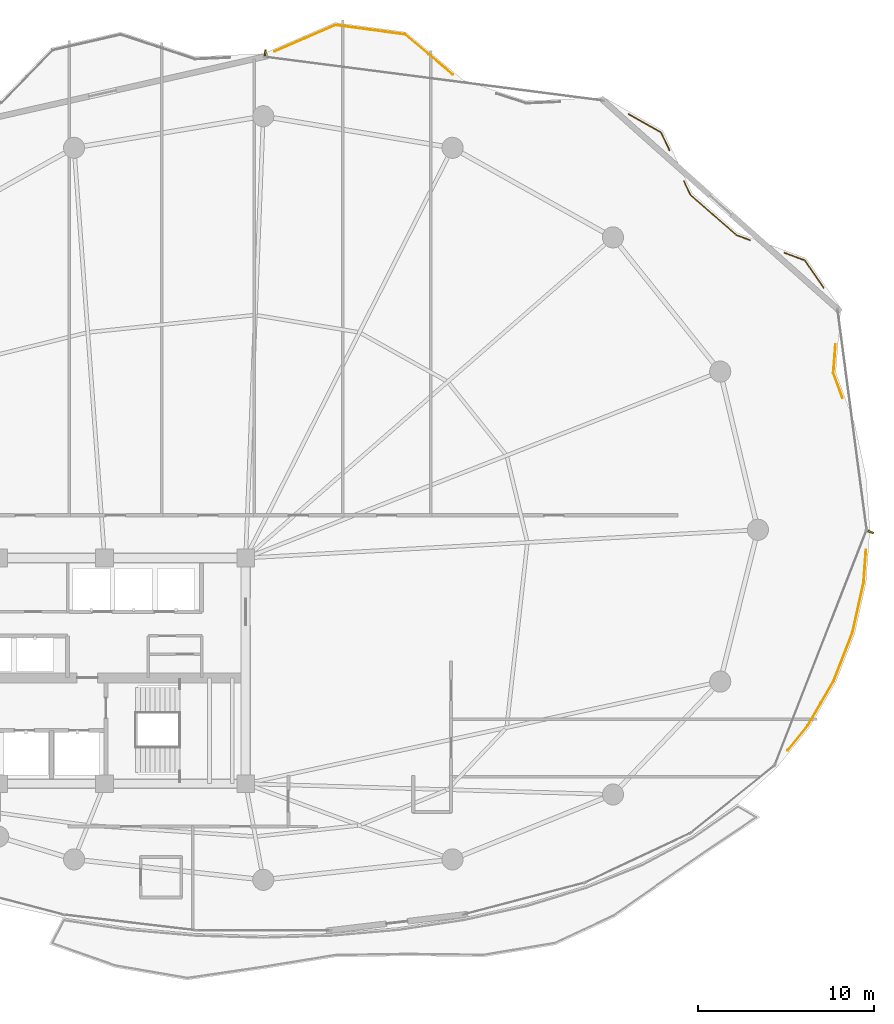
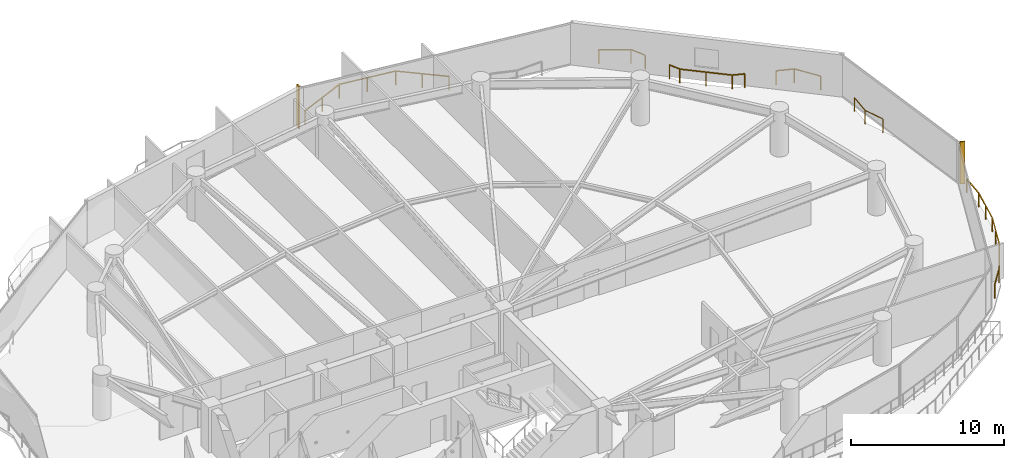
# One storey, part 33 of 33: 6 railings, 2 shading devices.
"""IFC4 building model written with IfcOpenShell, lengths in metres."""

from ifc_helpers import new_model, si_unit, direction, frame, origin, origin_2d, place, context, subcontext, project, spatial, rectangle, extrude, material, type_object, element, save


model = new_model("IFC4")

# Units and contexts
model_context = context("Model", 3, precision=1e-05, world=origin(), true_north=direction((0.0, 1.0)))
body_context = subcontext(model_context, "Body", "Model", "MODEL_VIEW")
ifc_project = project(units=[si_unit("LENGTHUNIT", "METRE"), si_unit("AREAUNIT", "SQUARE_METRE"), si_unit("VOLUMEUNIT", "CUBIC_METRE"), si_unit("PLANEANGLEUNIT", "RADIAN"), si_unit("MASSUNIT", "GRAM", prefix="KILO")], contexts=[model_context])

# Site, building, storey
site_placement = place(None, origin())
site = spatial("IfcSite", under=ifc_project, at=site_placement, CompositionType="ELEMENT")
building_placement = place(site_placement, origin())
building = spatial("IfcBuilding", under=site, at=building_placement, Name="Kazevale Care Tower and Concert Hall", CompositionType="ELEMENT")
storey_placement = place(building_placement, frame((0.0, 0.0, 153.0)))
storey = spatial("IfcBuildingStorey", under=building, at=storey_placement, Name="L40", CompositionType="ELEMENT", Elevation=153.0)

# Railings
ifc_material_1 = material(Name="Anodised Bronze Aluminium and Laminated Glass", Category="aluminium")
railing_type = type_object("IfcRailingType", Name="Balcony and Terrace Balustrade 1120", PredefinedType="BALUSTRADE", material=ifc_material_1)
railing_1_placement = place(storey_placement, frame((45.64404296875, 65.126953125, 0.0)))
element("IfcRailing", 1, at=railing_1_placement, inside=storey, type_object=railing_type, Name="rail:L40:perim:6", PredefinedType="BALUSTRADE", context=body_context, shape_type="SweptSolid", body=[
    extrude(rectangle(XDim=0.048095703125, YDim=0.048095703125, at=origin_2d()), frame((0.0, 0.0, 1.09619140625), z_axis=(0.917187785413, 0.398455224949, 0.0), x_axis=(-0.398455224949, 0.917187785413, 0.0)), (0.0, 0.0, 1.0), 3.757080078125),
    extrude(rectangle(XDim=0.048095703125, YDim=0.048095703125, at=origin_2d()), frame((3.446044921875, 1.4970703125, 1.09619140625), z_axis=(0.990974581197, -0.134049913915, 0.0), x_axis=(0.134049913915, 0.990974581197, 0.0)), (0.0, 0.0, 1.0), 3.975830078125),
    extrude(rectangle(XDim=0.048095703125, YDim=0.048095703125, at=origin_2d()), frame((7.385986328125, 0.964111328125, 1.09619140625), z_axis=(0.766816144639, -0.641866808863, 0.0), x_axis=(0.641866808863, 0.766816144639, 0.0)), (0.0, 0.0, 1.0), 3.53662109375),
    extrude(rectangle(XDim=0.0419921875, YDim=0.0419921875, at=origin_2d()), origin(), (0.0, 0.0, 1.0), 1.072021484375),
    extrude(rectangle(XDim=0.0419921875, YDim=0.0419921875, at=origin_2d()), frame((1.72314453125, 0.74853515625, 0.0)), (0.0, 0.0, 1.0), 1.072021484375),
    extrude(rectangle(XDim=0.0419921875, YDim=0.0419921875, at=origin_2d()), frame((3.446044921875, 1.4970703125, 0.0)), (0.0, 0.0, 1.0), 1.072021484375),
    extrude(rectangle(XDim=0.0419921875, YDim=0.0419921875, at=origin_2d()), frame((5.416015625, 1.23046875, 0.0)), (0.0, 0.0, 1.0), 1.072021484375),
    extrude(rectangle(XDim=0.0419921875, YDim=0.0419921875, at=origin_2d()), frame((7.385986328125, 0.964111328125, 0.0)), (0.0, 0.0, 1.0), 1.072021484375),
    extrude(rectangle(XDim=0.0419921875, YDim=0.0419921875, at=origin_2d()), frame((8.741943359375, -0.1708984375, 0.0)), (0.0, 0.0, 1.0), 1.072021484375),
    extrude(rectangle(XDim=0.0419921875, YDim=0.0419921875, at=origin_2d()), frame((10.097900390625, -1.305908203125, 0.0)), (0.0, 0.0, 1.0), 1.072021484375),
])
railing_2_placement = place(storey_placement, frame((65.718994140625, 61.572021484375, 0.0)))
element("IfcRailing", 2, at=railing_2_placement, inside=storey, type_object=railing_type, Name="rail:L40:perim:8", PredefinedType="BALUSTRADE", context=body_context, shape_type="SweptSolid", body=[
    extrude(rectangle(XDim=0.048095703125, YDim=0.048095703125, at=origin_2d()), frame((0.0, 0.0, 1.09619140625), z_axis=(0.870597317313, -0.491996251092, 0.0), x_axis=(0.491996251092, 0.870597317313, 0.0)), (0.0, 0.0, 1.0), 2.10986328125),
    extrude(rectangle(XDim=0.048095703125, YDim=0.048095703125, at=origin_2d()), frame((1.8369140625, -1.0380859375, 1.09619140625), z_axis=(0.425040298366, -0.905174427812, 0.0), x_axis=(0.905174427812, 0.425040298366, 0.0)), (0.0, 0.0, 1.0), 1.134521484375),
    extrude(rectangle(XDim=0.0419921875, YDim=0.0419921875, at=origin_2d()), origin(), (0.0, 0.0, 1.0), 1.072021484375),
    extrude(rectangle(XDim=0.0419921875, YDim=0.0419921875, at=origin_2d()), frame((1.8369140625, -1.0380859375, 0.0)), (0.0, 0.0, 1.0), 1.072021484375),
    extrude(rectangle(XDim=0.0419921875, YDim=0.0419921875, at=origin_2d()), frame((2.319091796875, -2.06494140625, 0.0)), (0.0, 0.0, 1.0), 1.072021484375),
])
railing_3_placement = place(storey_placement, frame((68.85693359375, 57.760009765625, 0.0)))
element("IfcRailing", 3, at=railing_3_placement, inside=storey, type_object=railing_type, Name="rail:L40:perim:9", PredefinedType="BALUSTRADE", context=body_context, shape_type="SweptSolid", body=[
    extrude(rectangle(XDim=0.048095703125, YDim=0.048095703125, at=origin_2d()), frame((0.0, 0.0, 1.09619140625), z_axis=(0.42407317981, -0.905627924794, 0.0), x_axis=(0.905627924794, 0.42407317981, 0.0)), (0.0, 0.0, 1.0), 0.83251953125),
    extrude(rectangle(XDim=0.048095703125, YDim=0.048095703125, at=origin_2d()), frame((0.35302734375, -0.75390625, 1.09619140625), z_axis=(0.751344255412, -0.65991045594, 0.0), x_axis=(0.65991045594, 0.751344255412, 0.0)), (0.0, 0.0, 1.0), 3.4765625),
    extrude(rectangle(XDim=0.048095703125, YDim=0.048095703125, at=origin_2d()), frame((2.965087890625, -3.048095703125, 1.09619140625), z_axis=(0.938403352722, -0.345541817439, 0.0), x_axis=(0.345541817439, 0.938403352722, 0.0)), (0.0, 0.0, 1.0), 0.830078125),
    extrude(rectangle(XDim=0.0419921875, YDim=0.0419921875, at=origin_2d()), origin(), (0.0, 0.0, 1.0), 1.072021484375),
    extrude(rectangle(XDim=0.0419921875, YDim=0.0419921875, at=origin_2d()), frame((0.35302734375, -0.75390625, 0.0)), (0.0, 0.0, 1.0), 1.072021484375),
    extrude(rectangle(XDim=0.0419921875, YDim=0.0419921875, at=origin_2d()), frame((1.6591796875, -1.90087890625, 0.0)), (0.0, 0.0, 1.0), 1.072021484375),
    extrude(rectangle(XDim=0.0419921875, YDim=0.0419921875, at=origin_2d()), frame((2.965087890625, -3.048095703125, 0.0)), (0.0, 0.0, 1.0), 1.072021484375),
    extrude(rectangle(XDim=0.0419921875, YDim=0.0419921875, at=origin_2d()), frame((3.744140625, -3.3349609375, 0.0)), (0.0, 0.0, 1.0), 1.072021484375),
])
railing_4_placement = place(storey_placement, frame((74.551025390625, 53.7060546875, 0.0)))
element("IfcRailing", 4, at=railing_4_placement, inside=storey, type_object=railing_type, Name="rail:L40:perim:10", PredefinedType="BALUSTRADE", context=body_context, shape_type="SweptSolid", body=[
    extrude(rectangle(XDim=0.048095703125, YDim=0.048095703125, at=origin_2d()), frame((0.0, 0.0, 1.09619140625), z_axis=(0.938095468021, -0.346376807652, 0.0), x_axis=(0.346376807652, 0.938095468021, 0.0)), (0.0, 0.0, 1.0), 1.213134765625),
    extrude(rectangle(XDim=0.048095703125, YDim=0.048095703125, at=origin_2d()), frame((1.137939453125, -0.420166015625, 1.09619140625), z_axis=(0.570141962651, -0.821546190074, 0.0), x_axis=(0.821546190074, 0.570141962651, 0.0)), (0.0, 0.0, 1.0), 1.892578125),
    extrude(rectangle(XDim=0.0419921875, YDim=0.0419921875, at=origin_2d()), origin(), (0.0, 0.0, 1.0), 1.072021484375),
    extrude(rectangle(XDim=0.0419921875, YDim=0.0419921875, at=origin_2d()), frame((1.137939453125, -0.420166015625, 0.0)), (0.0, 0.0, 1.0), 1.072021484375),
    extrude(rectangle(XDim=0.0419921875, YDim=0.0419921875, at=origin_2d()), frame((2.217041015625, -1.97509765625, 0.0)), (0.0, 0.0, 1.0), 1.072021484375),
])
railing_5_placement = place(storey_placement, frame((79.176025390625, 36.844970703125, 0.0)))
element("IfcRailing", 5, at=railing_5_placement, inside=storey, type_object=railing_type, Name="rail:L40:perim:11", PredefinedType="BALUSTRADE", context=body_context, shape_type="SweptSolid", body=[
    extrude(rectangle(XDim=0.048095703125, YDim=0.048095703125, at=origin_2d()), frame((0.0, 0.0, 1.09619140625), z_axis=(-0.071578588161, -0.997434963151, 0.0), x_axis=(0.997434963151, -0.071578588161, 0.0)), (0.0, 0.0, 1.0), 1.83154296875),
    extrude(rectangle(XDim=0.048095703125, YDim=0.048095703125, at=origin_2d()), frame((-0.131103515625, -1.826904296875, 1.09619140625), z_axis=(-0.217745961145, -0.9760054797, 0.0), x_axis=(0.9760054797, -0.217745961145, 0.0)), (0.0, 0.0, 1.0), 2.94775390625),
    extrude(rectangle(XDim=0.048095703125, YDim=0.048095703125, at=origin_2d()), frame((-0.77294921875, -4.703857421875, 1.09619140625), z_axis=(-0.363468066155, -0.931606657815, 0.0), x_axis=(0.931606657815, -0.363468066155, 0.0)), (0.0, 0.0, 1.0), 2.91650390625),
    extrude(rectangle(XDim=0.048095703125, YDim=0.048095703125, at=origin_2d()), frame((-1.8330078125, -7.4208984375, 1.09619140625), z_axis=(-0.502610267332, -0.864513111047, 0.0), x_axis=(0.864513111047, -0.502610267332, 0.0)), (0.0, 0.0, 1.0), 2.9150390625),
    extrude(rectangle(XDim=0.048095703125, YDim=0.048095703125, at=origin_2d()), frame((-3.298095703125, -9.94091796875, 1.09619140625), z_axis=(-0.628318296441, -0.777956373043, 0.0), x_axis=(0.777956373043, -0.628318296441, 0.0)), (0.0, 0.0, 1.0), 1.812744140625),
    extrude(rectangle(XDim=0.0419921875, YDim=0.0419921875, at=origin_2d()), origin(), (0.0, 0.0, 1.0), 1.072021484375),
    extrude(rectangle(XDim=0.0419921875, YDim=0.0419921875, at=origin_2d()), frame((-0.131103515625, -1.826904296875, 0.0)), (0.0, 0.0, 1.0), 1.072021484375),
    extrude(rectangle(XDim=0.0419921875, YDim=0.0419921875, at=origin_2d()), frame((-0.4521484375, -3.265380859375, 0.0)), (0.0, 0.0, 1.0), 1.072021484375),
    extrude(rectangle(XDim=0.0419921875, YDim=0.0419921875, at=origin_2d()), frame((-0.77294921875, -4.703857421875, 0.0)), (0.0, 0.0, 1.0), 1.072021484375),
    extrude(rectangle(XDim=0.0419921875, YDim=0.0419921875, at=origin_2d()), frame((-1.302978515625, -6.0625, 0.0)), (0.0, 0.0, 1.0), 1.072021484375),
    extrude(rectangle(XDim=0.0419921875, YDim=0.0419921875, at=origin_2d()), frame((-1.8330078125, -7.4208984375, 0.0)), (0.0, 0.0, 1.0), 1.072021484375),
    extrude(rectangle(XDim=0.0419921875, YDim=0.0419921875, at=origin_2d()), frame((-2.5654296875, -8.680908203125, 0.0)), (0.0, 0.0, 1.0), 1.072021484375),
    extrude(rectangle(XDim=0.0419921875, YDim=0.0419921875, at=origin_2d()), frame((-3.298095703125, -9.94091796875, 0.0)), (0.0, 0.0, 1.0), 1.072021484375),
    extrude(rectangle(XDim=0.0419921875, YDim=0.0419921875, at=origin_2d()), frame((-4.43701171875, -11.35107421875, 0.0)), (0.0, 0.0, 1.0), 1.072021484375),
])
railing_6_placement = place(storey_placement, frame((77.449951171875, 48.488037109375, 0.0)))
element("IfcRailing", 6, at=railing_6_placement, inside=storey, type_object=railing_type, Name="rail:L40:perim:12", PredefinedType="BALUSTRADE", context=body_context, shape_type="SweptSolid", body=[
    extrude(rectangle(XDim=0.048095703125, YDim=0.048095703125, at=origin_2d()), frame((0.0, 0.0, 1.09619140625), z_axis=(-0.076544309893, -0.997066180664, 0.0), x_axis=(0.997066180664, -0.076544309893, 0.0)), (0.0, 0.0, 1.0), 1.5947265625),
    extrude(rectangle(XDim=0.048095703125, YDim=0.048095703125, at=origin_2d()), frame((-0.1220703125, -1.590087890625, 1.09619140625), z_axis=(0.344520780969, -0.938778691429, 0.0), x_axis=(0.938778691429, 0.344520780969, 0.0)), (0.0, 0.0, 1.0), 1.509521484375),
    extrude(rectangle(XDim=0.0419921875, YDim=0.0419921875, at=origin_2d()), origin(), (0.0, 0.0, 1.0), 1.072021484375),
    extrude(rectangle(XDim=0.0419921875, YDim=0.0419921875, at=origin_2d()), frame((-0.1220703125, -1.590087890625, 0.0)), (0.0, 0.0, 1.0), 1.072021484375),
    extrude(rectangle(XDim=0.0419921875, YDim=0.0419921875, at=origin_2d()), frame((0.39794921875, -3.007080078125, 0.0)), (0.0, 0.0, 1.0), 1.072021484375),
])

# Shading devices
ifc_material_2 = material(Name="Anodised Bronze Aluminium", Category="aluminium")
shading_device_type = type_object("IfcShadingDeviceType", Name="Waist Anodised Bronze-Stone Fin FIN-02", PredefinedType="USERDEFINED", material=ifc_material_2)
for number, where, z_axis, x_axis, name in (
    (7, (79.44384765625, 37.869384765625, 0.0), (0.0, 0.0, 1.0), (0.931373876365, -0.364064146031, 0.0), "cw:L40:f01:fin"),
    (8, (45.109130859375, 65.05615234375, 0.0), (0.0, 0.0, 1.0), (0.12827634114, 0.991738463661, 0.0), "cw:L40:f16:fin"),
):
    element("IfcShadingDevice", number, at=place(storey_placement, frame(where, z_axis=z_axis, x_axis=x_axis)), inside=storey, type_object=shading_device_type, Name=name, ObjectType="FIN", PredefinedType="USERDEFINED", context=body_context, shape_type="SweptSolid", body=[
        extrude(rectangle(XDim=0.340087890625, YDim=0.10009765625, at=origin_2d()), origin(), (0.0, 0.0, 1.0), 3.360107421875),
    ])

save(model, "model.ifc")
